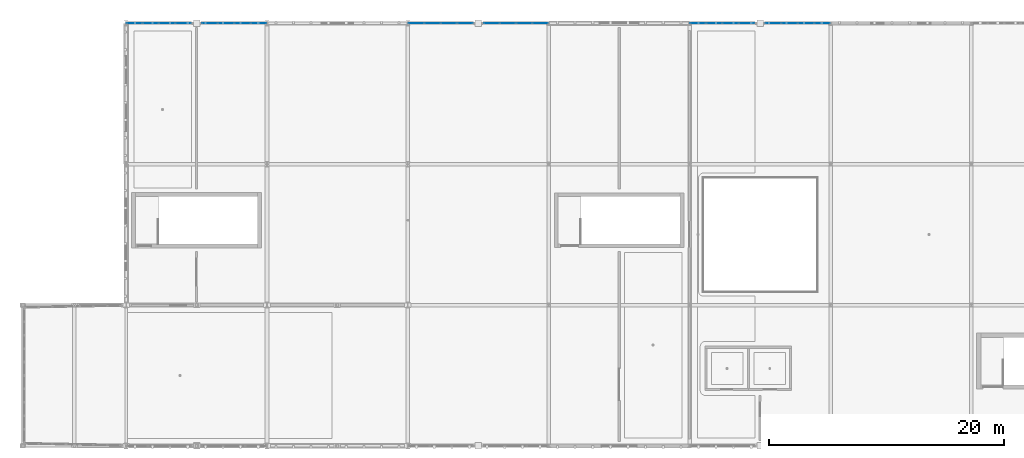
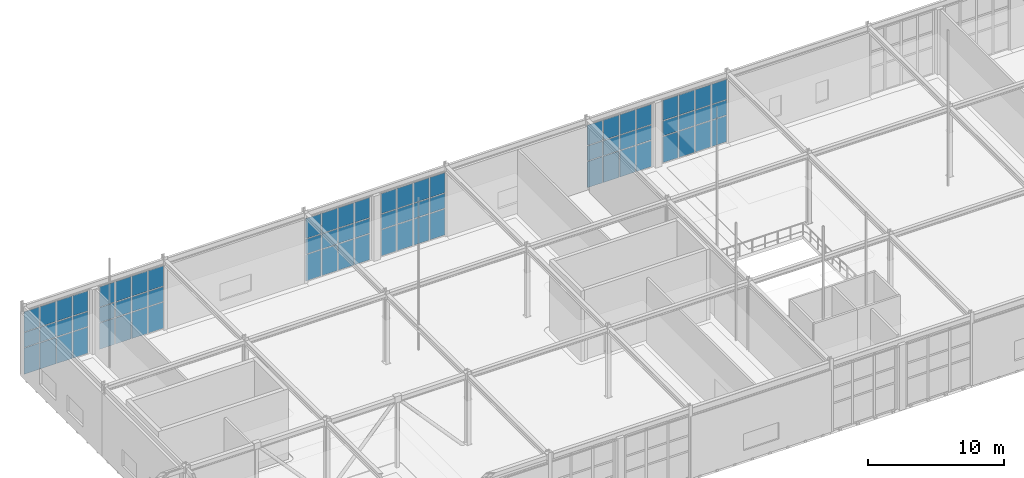
# One storey, part 34 of 62: 72 plates, 6 elements without a shape of their own.
"""IFC4 building model written with IfcOpenShell, lengths in metres."""

from ifc_helpers import new_model, si_unit, direction, frame, origin, origin_2d, place, context, subcontext, project, spatial, rectangle, extrude, material, layer, layer_set, type_object, element, aggregate, save


model = new_model("IFC4")

# Units and contexts
model_context = context("Model", 3, precision=1e-05, world=origin(), true_north=direction((0.0, 1.0)))
body_context = subcontext(model_context, "Body", "Model", "MODEL_VIEW")
ifc_project = project(units=[si_unit("LENGTHUNIT", "METRE"), si_unit("AREAUNIT", "SQUARE_METRE"), si_unit("VOLUMEUNIT", "CUBIC_METRE"), si_unit("PLANEANGLEUNIT", "RADIAN"), si_unit("MASSUNIT", "GRAM", prefix="KILO")], contexts=[model_context])

# Site, building, storey
site_placement = place(None, origin())
site = spatial("IfcSite", under=ifc_project, at=site_placement, CompositionType="ELEMENT")
building_placement = place(site_placement, origin())
building = spatial("IfcBuilding", under=site, at=building_placement, Name="Zlatogorsky Bluff Art Gallery", CompositionType="ELEMENT")
storey_placement = place(building_placement, frame((0.0, 0.0, 16.800048828125)))
storey = spatial("IfcBuildingStorey", under=building, at=storey_placement, Name="L03", CompositionType="ELEMENT", Elevation=16.800048828125)

# Curtain wall, plates
ifc_material_1 = material(Name="Anodised Bronze Aluminium and Low-Iron Triple Glazing", Category="aluminium")
ifc_layer_1 = layer(ifc_material_1, 0.199951171875)
ifc_layer_set_1 = layer_set([ifc_layer_1], Name="Curtain Wall CW-02")
curtain_wall_type = type_object("IfcCurtainWallType", Name="Curtain Wall CW-02", PredefinedType="USERDEFINED", material=ifc_layer_set_1)
curtain_wall_1_placement = place(storey_placement, origin())
curtain_wall_1 = element("IfcCurtainWall", 1, at=curtain_wall_1_placement, inside=storey, type_object=curtain_wall_type, Name="Unitised curtain wall CW-02 L03 N 0.10-A", ObjectType="CURTAIN WALL", PredefinedType="USERDEFINED")
ifc_material_2 = material(Name="Low-Iron Laminated Triple Glazing", Category="glass")
ifc_layer_2 = layer(ifc_material_2, 0.035888671875)
ifc_layer_set_2 = layer_set([ifc_layer_2], Name="Glazed Curtain Panel CWP-01")
plate_type = type_object("IfcPlateType", Name="Glazed Curtain Panel CWP-01", PredefinedType="CURTAIN_PANEL", material=ifc_layer_set_2)
plate_1_placement = place(storey_placement, frame((11.2861328125, 120.0, 0.06494140625), z_axis=(0.0, 0.0, 1.0), x_axis=(-1.0, 0.0, 0.0)))
plate_1 = element("IfcPlate", 2, at=plate_1_placement, type_object=plate_type, Name="CW-02 panel 1.1", PredefinedType="CURTAIN_PANEL", context=body_context, shape_type="SweptSolid", body=[
    extrude(rectangle(XDim=1.297607421875, YDim=0.035888671875, at=origin_2d()), origin(), (0.0, 0.0, 1.0), 2.3525390625),
])
plate_2_placement = place(storey_placement, frame((11.2861328125, 120.0, 2.482421875), z_axis=(0.0, 0.0, 1.0), x_axis=(-1.0, 0.0, 0.0)))
plate_2 = element("IfcPlate", 3, at=plate_2_placement, type_object=plate_type, Name="CW-02 panel 1.2", PredefinedType="CURTAIN_PANEL", context=body_context, shape_type="SweptSolid", body=[
    extrude(rectangle(XDim=1.297607421875, YDim=0.035888671875, at=origin_2d()), origin(), (0.0, 0.0, 1.0), 1.3349609375),
])
plate_3_placement = place(storey_placement, frame((11.2861328125, 120.0, 3.88232421875), z_axis=(0.0, 0.0, 1.0), x_axis=(-1.0, 0.0, 0.0)))
plate_3 = element("IfcPlate", 4, at=plate_3_placement, type_object=plate_type, Name="CW-02 panel 1.3", PredefinedType="CURTAIN_PANEL", context=body_context, shape_type="SweptSolid", body=[
    extrude(rectangle(XDim=1.297607421875, YDim=0.035888671875, at=origin_2d()), origin(), (0.0, 0.0, 1.0), 1.802490234375),
])
plate_4_placement = place(storey_placement, frame((9.907470703125, 120.0, 0.06494140625), z_axis=(0.0, 0.0, 1.0), x_axis=(-1.0, 0.0, 0.0)))
plate_4 = element("IfcPlate", 5, at=plate_4_placement, type_object=plate_type, Name="CW-02 panel 2.1", PredefinedType="CURTAIN_PANEL", context=body_context, shape_type="SweptSolid", body=[
    extrude(rectangle(XDim=1.330078125, YDim=0.035888671875, at=origin_2d()), origin(), (0.0, 0.0, 1.0), 2.3525390625),
])
plate_5_placement = place(storey_placement, frame((9.907470703125, 120.0, 2.482421875), z_axis=(0.0, 0.0, 1.0), x_axis=(-1.0, 0.0, 0.0)))
plate_5 = element("IfcPlate", 6, at=plate_5_placement, type_object=plate_type, Name="CW-02 panel 2.2", PredefinedType="CURTAIN_PANEL", context=body_context, shape_type="SweptSolid", body=[
    extrude(rectangle(XDim=1.330078125, YDim=0.035888671875, at=origin_2d()), origin(), (0.0, 0.0, 1.0), 1.3349609375),
])
plate_6_placement = place(storey_placement, frame((9.907470703125, 120.0, 3.88232421875), z_axis=(0.0, 0.0, 1.0), x_axis=(-1.0, 0.0, 0.0)))
plate_6 = element("IfcPlate", 7, at=plate_6_placement, type_object=plate_type, Name="CW-02 panel 2.3", PredefinedType="CURTAIN_PANEL", context=body_context, shape_type="SweptSolid", body=[
    extrude(rectangle(XDim=1.330078125, YDim=0.035888671875, at=origin_2d()), origin(), (0.0, 0.0, 1.0), 1.802490234375),
])
plate_7_placement = place(storey_placement, frame((8.512451171875, 120.0, 0.06494140625), z_axis=(0.0, 0.0, 1.0), x_axis=(-1.0, 0.0, 0.0)))
plate_7 = element("IfcPlate", 8, at=plate_7_placement, type_object=plate_type, Name="CW-02 panel 3.1", PredefinedType="CURTAIN_PANEL", context=body_context, shape_type="SweptSolid", body=[
    extrude(rectangle(XDim=1.330078125, YDim=0.035888671875, at=origin_2d()), origin(), (0.0, 0.0, 1.0), 2.3525390625),
])
plate_8_placement = place(storey_placement, frame((8.512451171875, 120.0, 2.482421875), z_axis=(0.0, 0.0, 1.0), x_axis=(-1.0, 0.0, 0.0)))
plate_8 = element("IfcPlate", 9, at=plate_8_placement, type_object=plate_type, Name="CW-02 panel 3.2", PredefinedType="CURTAIN_PANEL", context=body_context, shape_type="SweptSolid", body=[
    extrude(rectangle(XDim=1.330078125, YDim=0.035888671875, at=origin_2d()), origin(), (0.0, 0.0, 1.0), 1.3349609375),
])
plate_9_placement = place(storey_placement, frame((8.512451171875, 120.0, 3.88232421875), z_axis=(0.0, 0.0, 1.0), x_axis=(-1.0, 0.0, 0.0)))
plate_9 = element("IfcPlate", 10, at=plate_9_placement, type_object=plate_type, Name="CW-02 panel 3.3", PredefinedType="CURTAIN_PANEL", context=body_context, shape_type="SweptSolid", body=[
    extrude(rectangle(XDim=1.330078125, YDim=0.035888671875, at=origin_2d()), origin(), (0.0, 0.0, 1.0), 1.802490234375),
])
plate_10_placement = place(storey_placement, frame((7.1337890625, 120.0, 0.06494140625), z_axis=(0.0, 0.0, 1.0), x_axis=(-1.0, 0.0, 0.0)))
plate_10 = element("IfcPlate", 11, at=plate_10_placement, type_object=plate_type, Name="CW-02 panel 4.1", PredefinedType="CURTAIN_PANEL", context=body_context, shape_type="SweptSolid", body=[
    extrude(rectangle(XDim=1.297607421875, YDim=0.035888671875, at=origin_2d()), origin(), (0.0, 0.0, 1.0), 2.3525390625),
])
plate_11_placement = place(storey_placement, frame((7.1337890625, 120.0, 2.482421875), z_axis=(0.0, 0.0, 1.0), x_axis=(-1.0, 0.0, 0.0)))
plate_11 = element("IfcPlate", 12, at=plate_11_placement, type_object=plate_type, Name="CW-02 panel 4.2", PredefinedType="CURTAIN_PANEL", context=body_context, shape_type="SweptSolid", body=[
    extrude(rectangle(XDim=1.297607421875, YDim=0.035888671875, at=origin_2d()), origin(), (0.0, 0.0, 1.0), 1.3349609375),
])
plate_12_placement = place(storey_placement, frame((7.1337890625, 120.0, 3.88232421875), z_axis=(0.0, 0.0, 1.0), x_axis=(-1.0, 0.0, 0.0)))
plate_12 = element("IfcPlate", 13, at=plate_12_placement, type_object=plate_type, Name="CW-02 panel 4.3", PredefinedType="CURTAIN_PANEL", context=body_context, shape_type="SweptSolid", body=[
    extrude(rectangle(XDim=1.297607421875, YDim=0.035888671875, at=origin_2d()), origin(), (0.0, 0.0, 1.0), 1.802490234375),
])
aggregate(curtain_wall_1, [plate_1, plate_2, plate_3, plate_4, plate_5, plate_6, plate_7, plate_8, plate_9, plate_10, plate_11, plate_12])

curtain_wall_2_placement = place(storey_placement, origin())
curtain_wall_2 = element("IfcCurtainWall", 14, at=curtain_wall_2_placement, inside=storey, type_object=curtain_wall_type, Name="Unitised curtain wall CW-02 L03 N 0.10-B", ObjectType="CURTAIN WALL", PredefinedType="USERDEFINED")
plate_13_placement = place(storey_placement, frame((4.8662109375, 120.0, 0.06494140625), z_axis=(0.0, 0.0, 1.0), x_axis=(-1.0, 0.0, 0.0)))
plate_13 = element("IfcPlate", 15, at=plate_13_placement, type_object=plate_type, Name="CW-02 panel 1.1", PredefinedType="CURTAIN_PANEL", context=body_context, shape_type="SweptSolid", body=[
    extrude(rectangle(XDim=1.297607421875, YDim=0.035888671875, at=origin_2d()), origin(), (0.0, 0.0, 1.0), 2.3525390625),
])
plate_14_placement = place(storey_placement, frame((4.8662109375, 120.0, 2.482421875), z_axis=(0.0, 0.0, 1.0), x_axis=(-1.0, 0.0, 0.0)))
plate_14 = element("IfcPlate", 16, at=plate_14_placement, type_object=plate_type, Name="CW-02 panel 1.2", PredefinedType="CURTAIN_PANEL", context=body_context, shape_type="SweptSolid", body=[
    extrude(rectangle(XDim=1.297607421875, YDim=0.035888671875, at=origin_2d()), origin(), (0.0, 0.0, 1.0), 1.3349609375),
])
plate_15_placement = place(storey_placement, frame((4.8662109375, 120.0, 3.88232421875), z_axis=(0.0, 0.0, 1.0), x_axis=(-1.0, 0.0, 0.0)))
plate_15 = element("IfcPlate", 17, at=plate_15_placement, type_object=plate_type, Name="CW-02 panel 1.3", PredefinedType="CURTAIN_PANEL", context=body_context, shape_type="SweptSolid", body=[
    extrude(rectangle(XDim=1.297607421875, YDim=0.035888671875, at=origin_2d()), origin(), (0.0, 0.0, 1.0), 1.802490234375),
])
plate_16_placement = place(storey_placement, frame((3.487548828125, 120.0, 0.06494140625), z_axis=(0.0, 0.0, 1.0), x_axis=(-1.0, 0.0, 0.0)))
plate_16 = element("IfcPlate", 18, at=plate_16_placement, type_object=plate_type, Name="CW-02 panel 2.1", PredefinedType="CURTAIN_PANEL", context=body_context, shape_type="SweptSolid", body=[
    extrude(rectangle(XDim=1.330078125, YDim=0.035888671875, at=origin_2d()), origin(), (0.0, 0.0, 1.0), 2.3525390625),
])
plate_17_placement = place(storey_placement, frame((3.487548828125, 120.0, 2.482421875), z_axis=(0.0, 0.0, 1.0), x_axis=(-1.0, 0.0, 0.0)))
plate_17 = element("IfcPlate", 19, at=plate_17_placement, type_object=plate_type, Name="CW-02 panel 2.2", PredefinedType="CURTAIN_PANEL", context=body_context, shape_type="SweptSolid", body=[
    extrude(rectangle(XDim=1.330078125, YDim=0.035888671875, at=origin_2d()), origin(), (0.0, 0.0, 1.0), 1.3349609375),
])
plate_18_placement = place(storey_placement, frame((3.487548828125, 120.0, 3.88232421875), z_axis=(0.0, 0.0, 1.0), x_axis=(-1.0, 0.0, 0.0)))
plate_18 = element("IfcPlate", 20, at=plate_18_placement, type_object=plate_type, Name="CW-02 panel 2.3", PredefinedType="CURTAIN_PANEL", context=body_context, shape_type="SweptSolid", body=[
    extrude(rectangle(XDim=1.330078125, YDim=0.035888671875, at=origin_2d()), origin(), (0.0, 0.0, 1.0), 1.802490234375),
])
plate_19_placement = place(storey_placement, frame((2.092529296875, 120.0, 0.06494140625), z_axis=(0.0, 0.0, 1.0), x_axis=(-1.0, 0.0, 0.0)))
plate_19 = element("IfcPlate", 21, at=plate_19_placement, type_object=plate_type, Name="CW-02 panel 3.1", PredefinedType="CURTAIN_PANEL", context=body_context, shape_type="SweptSolid", body=[
    extrude(rectangle(XDim=1.330078125, YDim=0.035888671875, at=origin_2d()), origin(), (0.0, 0.0, 1.0), 2.3525390625),
])
plate_20_placement = place(storey_placement, frame((2.092529296875, 120.0, 2.482421875), z_axis=(0.0, 0.0, 1.0), x_axis=(-1.0, 0.0, 0.0)))
plate_20 = element("IfcPlate", 22, at=plate_20_placement, type_object=plate_type, Name="CW-02 panel 3.2", PredefinedType="CURTAIN_PANEL", context=body_context, shape_type="SweptSolid", body=[
    extrude(rectangle(XDim=1.330078125, YDim=0.035888671875, at=origin_2d()), origin(), (0.0, 0.0, 1.0), 1.3349609375),
])
plate_21_placement = place(storey_placement, frame((2.092529296875, 120.0, 3.88232421875), z_axis=(0.0, 0.0, 1.0), x_axis=(-1.0, 0.0, 0.0)))
plate_21 = element("IfcPlate", 23, at=plate_21_placement, type_object=plate_type, Name="CW-02 panel 3.3", PredefinedType="CURTAIN_PANEL", context=body_context, shape_type="SweptSolid", body=[
    extrude(rectangle(XDim=1.330078125, YDim=0.035888671875, at=origin_2d()), origin(), (0.0, 0.0, 1.0), 1.802490234375),
])
plate_22_placement = place(storey_placement, frame((0.7138671875, 120.0, 0.06494140625), z_axis=(0.0, 0.0, 1.0), x_axis=(-1.0, 0.0, 0.0)))
plate_22 = element("IfcPlate", 24, at=plate_22_placement, type_object=plate_type, Name="CW-02 panel 4.1", PredefinedType="CURTAIN_PANEL", context=body_context, shape_type="SweptSolid", body=[
    extrude(rectangle(XDim=1.297607421875, YDim=0.035888671875, at=origin_2d()), origin(), (0.0, 0.0, 1.0), 2.3525390625),
])
plate_23_placement = place(storey_placement, frame((0.7138671875, 120.0, 2.482421875), z_axis=(0.0, 0.0, 1.0), x_axis=(-1.0, 0.0, 0.0)))
plate_23 = element("IfcPlate", 25, at=plate_23_placement, type_object=plate_type, Name="CW-02 panel 4.2", PredefinedType="CURTAIN_PANEL", context=body_context, shape_type="SweptSolid", body=[
    extrude(rectangle(XDim=1.297607421875, YDim=0.035888671875, at=origin_2d()), origin(), (0.0, 0.0, 1.0), 1.3349609375),
])
plate_24_placement = place(storey_placement, frame((0.7138671875, 120.0, 3.88232421875), z_axis=(0.0, 0.0, 1.0), x_axis=(-1.0, 0.0, 0.0)))
plate_24 = element("IfcPlate", 26, at=plate_24_placement, type_object=plate_type, Name="CW-02 panel 4.3", PredefinedType="CURTAIN_PANEL", context=body_context, shape_type="SweptSolid", body=[
    extrude(rectangle(XDim=1.297607421875, YDim=0.035888671875, at=origin_2d()), origin(), (0.0, 0.0, 1.0), 1.802490234375),
])
aggregate(curtain_wall_2, [plate_13, plate_14, plate_15, plate_16, plate_17, plate_18, plate_19, plate_20, plate_21, plate_22, plate_23, plate_24])

curtain_wall_3_placement = place(storey_placement, origin())
curtain_wall_3 = element("IfcCurtainWall", 27, at=curtain_wall_3_placement, inside=storey, type_object=curtain_wall_type, Name="Unitised curtain wall CW-02 L03 N 2.10-A", ObjectType="CURTAIN WALL", PredefinedType="USERDEFINED")
plate_25_placement = place(storey_placement, frame((35.2861328125, 120.0, 0.06494140625), z_axis=(0.0, 0.0, 1.0), x_axis=(-1.0, 0.0, 0.0)))
plate_25 = element("IfcPlate", 28, at=plate_25_placement, type_object=plate_type, Name="CW-02 panel 1.1", PredefinedType="CURTAIN_PANEL", context=body_context, shape_type="SweptSolid", body=[
    extrude(rectangle(XDim=1.297607421875, YDim=0.035888671875, at=origin_2d()), origin(), (0.0, 0.0, 1.0), 2.3525390625),
])
plate_26_placement = place(storey_placement, frame((35.2861328125, 120.0, 2.482421875), z_axis=(0.0, 0.0, 1.0), x_axis=(-1.0, 0.0, 0.0)))
plate_26 = element("IfcPlate", 29, at=plate_26_placement, type_object=plate_type, Name="CW-02 panel 1.2", PredefinedType="CURTAIN_PANEL", context=body_context, shape_type="SweptSolid", body=[
    extrude(rectangle(XDim=1.297607421875, YDim=0.035888671875, at=origin_2d()), origin(), (0.0, 0.0, 1.0), 1.3349609375),
])
plate_27_placement = place(storey_placement, frame((35.2861328125, 120.0, 3.88232421875), z_axis=(0.0, 0.0, 1.0), x_axis=(-1.0, 0.0, 0.0)))
plate_27 = element("IfcPlate", 30, at=plate_27_placement, type_object=plate_type, Name="CW-02 panel 1.3", PredefinedType="CURTAIN_PANEL", context=body_context, shape_type="SweptSolid", body=[
    extrude(rectangle(XDim=1.297607421875, YDim=0.035888671875, at=origin_2d()), origin(), (0.0, 0.0, 1.0), 1.802490234375),
])
plate_28_placement = place(storey_placement, frame((33.907470703125, 120.0, 0.06494140625), z_axis=(0.0, 0.0, 1.0), x_axis=(-1.0, 0.0, 0.0)))
plate_28 = element("IfcPlate", 31, at=plate_28_placement, type_object=plate_type, Name="CW-02 panel 2.1", PredefinedType="CURTAIN_PANEL", context=body_context, shape_type="SweptSolid", body=[
    extrude(rectangle(XDim=1.330078125, YDim=0.035888671875, at=origin_2d()), origin(), (0.0, 0.0, 1.0), 2.3525390625),
])
plate_29_placement = place(storey_placement, frame((33.907470703125, 120.0, 2.482421875), z_axis=(0.0, 0.0, 1.0), x_axis=(-1.0, 0.0, 0.0)))
plate_29 = element("IfcPlate", 32, at=plate_29_placement, type_object=plate_type, Name="CW-02 panel 2.2", PredefinedType="CURTAIN_PANEL", context=body_context, shape_type="SweptSolid", body=[
    extrude(rectangle(XDim=1.330078125, YDim=0.035888671875, at=origin_2d()), origin(), (0.0, 0.0, 1.0), 1.3349609375),
])
plate_30_placement = place(storey_placement, frame((33.907470703125, 120.0, 3.88232421875), z_axis=(0.0, 0.0, 1.0), x_axis=(-1.0, 0.0, 0.0)))
plate_30 = element("IfcPlate", 33, at=plate_30_placement, type_object=plate_type, Name="CW-02 panel 2.3", PredefinedType="CURTAIN_PANEL", context=body_context, shape_type="SweptSolid", body=[
    extrude(rectangle(XDim=1.330078125, YDim=0.035888671875, at=origin_2d()), origin(), (0.0, 0.0, 1.0), 1.802490234375),
])
plate_31_placement = place(storey_placement, frame((32.512451171875, 120.0, 0.06494140625), z_axis=(0.0, 0.0, 1.0), x_axis=(-1.0, 0.0, 0.0)))
plate_31 = element("IfcPlate", 34, at=plate_31_placement, type_object=plate_type, Name="CW-02 panel 3.1", PredefinedType="CURTAIN_PANEL", context=body_context, shape_type="SweptSolid", body=[
    extrude(rectangle(XDim=1.330078125, YDim=0.035888671875, at=origin_2d()), origin(), (0.0, 0.0, 1.0), 2.3525390625),
])
plate_32_placement = place(storey_placement, frame((32.512451171875, 120.0, 2.482421875), z_axis=(0.0, 0.0, 1.0), x_axis=(-1.0, 0.0, 0.0)))
plate_32 = element("IfcPlate", 35, at=plate_32_placement, type_object=plate_type, Name="CW-02 panel 3.2", PredefinedType="CURTAIN_PANEL", context=body_context, shape_type="SweptSolid", body=[
    extrude(rectangle(XDim=1.330078125, YDim=0.035888671875, at=origin_2d()), origin(), (0.0, 0.0, 1.0), 1.3349609375),
])
plate_33_placement = place(storey_placement, frame((32.512451171875, 120.0, 3.88232421875), z_axis=(0.0, 0.0, 1.0), x_axis=(-1.0, 0.0, 0.0)))
plate_33 = element("IfcPlate", 36, at=plate_33_placement, type_object=plate_type, Name="CW-02 panel 3.3", PredefinedType="CURTAIN_PANEL", context=body_context, shape_type="SweptSolid", body=[
    extrude(rectangle(XDim=1.330078125, YDim=0.035888671875, at=origin_2d()), origin(), (0.0, 0.0, 1.0), 1.802490234375),
])
plate_34_placement = place(storey_placement, frame((31.1337890625, 120.0, 0.06494140625), z_axis=(0.0, 0.0, 1.0), x_axis=(-1.0, 0.0, 0.0)))
plate_34 = element("IfcPlate", 37, at=plate_34_placement, type_object=plate_type, Name="CW-02 panel 4.1", PredefinedType="CURTAIN_PANEL", context=body_context, shape_type="SweptSolid", body=[
    extrude(rectangle(XDim=1.297607421875, YDim=0.035888671875, at=origin_2d()), origin(), (0.0, 0.0, 1.0), 2.3525390625),
])
plate_35_placement = place(storey_placement, frame((31.1337890625, 120.0, 2.482421875), z_axis=(0.0, 0.0, 1.0), x_axis=(-1.0, 0.0, 0.0)))
plate_35 = element("IfcPlate", 38, at=plate_35_placement, type_object=plate_type, Name="CW-02 panel 4.2", PredefinedType="CURTAIN_PANEL", context=body_context, shape_type="SweptSolid", body=[
    extrude(rectangle(XDim=1.297607421875, YDim=0.035888671875, at=origin_2d()), origin(), (0.0, 0.0, 1.0), 1.3349609375),
])
plate_36_placement = place(storey_placement, frame((31.1337890625, 120.0, 3.88232421875), z_axis=(0.0, 0.0, 1.0), x_axis=(-1.0, 0.0, 0.0)))
plate_36 = element("IfcPlate", 39, at=plate_36_placement, type_object=plate_type, Name="CW-02 panel 4.3", PredefinedType="CURTAIN_PANEL", context=body_context, shape_type="SweptSolid", body=[
    extrude(rectangle(XDim=1.297607421875, YDim=0.035888671875, at=origin_2d()), origin(), (0.0, 0.0, 1.0), 1.802490234375),
])
aggregate(curtain_wall_3, [plate_25, plate_26, plate_27, plate_28, plate_29, plate_30, plate_31, plate_32, plate_33, plate_34, plate_35, plate_36])

curtain_wall_4_placement = place(storey_placement, origin())
curtain_wall_4 = element("IfcCurtainWall", 40, at=curtain_wall_4_placement, inside=storey, type_object=curtain_wall_type, Name="Unitised curtain wall CW-02 L03 N 2.10-B", ObjectType="CURTAIN WALL", PredefinedType="USERDEFINED")
plate_37_placement = place(storey_placement, frame((28.8662109375, 120.0, 0.06494140625), z_axis=(0.0, 0.0, 1.0), x_axis=(-1.0, 0.0, 0.0)))
plate_37 = element("IfcPlate", 41, at=plate_37_placement, type_object=plate_type, Name="CW-02 panel 1.1", PredefinedType="CURTAIN_PANEL", context=body_context, shape_type="SweptSolid", body=[
    extrude(rectangle(XDim=1.297607421875, YDim=0.035888671875, at=origin_2d()), origin(), (0.0, 0.0, 1.0), 2.3525390625),
])
plate_38_placement = place(storey_placement, frame((28.8662109375, 120.0, 2.482421875), z_axis=(0.0, 0.0, 1.0), x_axis=(-1.0, 0.0, 0.0)))
plate_38 = element("IfcPlate", 42, at=plate_38_placement, type_object=plate_type, Name="CW-02 panel 1.2", PredefinedType="CURTAIN_PANEL", context=body_context, shape_type="SweptSolid", body=[
    extrude(rectangle(XDim=1.297607421875, YDim=0.035888671875, at=origin_2d()), origin(), (0.0, 0.0, 1.0), 1.3349609375),
])
plate_39_placement = place(storey_placement, frame((28.8662109375, 120.0, 3.88232421875), z_axis=(0.0, 0.0, 1.0), x_axis=(-1.0, 0.0, 0.0)))
plate_39 = element("IfcPlate", 43, at=plate_39_placement, type_object=plate_type, Name="CW-02 panel 1.3", PredefinedType="CURTAIN_PANEL", context=body_context, shape_type="SweptSolid", body=[
    extrude(rectangle(XDim=1.297607421875, YDim=0.035888671875, at=origin_2d()), origin(), (0.0, 0.0, 1.0), 1.802490234375),
])
plate_40_placement = place(storey_placement, frame((27.487548828125, 120.0, 0.06494140625), z_axis=(0.0, 0.0, 1.0), x_axis=(-1.0, 0.0, 0.0)))
plate_40 = element("IfcPlate", 44, at=plate_40_placement, type_object=plate_type, Name="CW-02 panel 2.1", PredefinedType="CURTAIN_PANEL", context=body_context, shape_type="SweptSolid", body=[
    extrude(rectangle(XDim=1.330078125, YDim=0.035888671875, at=origin_2d()), origin(), (0.0, 0.0, 1.0), 2.3525390625),
])
plate_41_placement = place(storey_placement, frame((27.487548828125, 120.0, 2.482421875), z_axis=(0.0, 0.0, 1.0), x_axis=(-1.0, 0.0, 0.0)))
plate_41 = element("IfcPlate", 45, at=plate_41_placement, type_object=plate_type, Name="CW-02 panel 2.2", PredefinedType="CURTAIN_PANEL", context=body_context, shape_type="SweptSolid", body=[
    extrude(rectangle(XDim=1.330078125, YDim=0.035888671875, at=origin_2d()), origin(), (0.0, 0.0, 1.0), 1.3349609375),
])
plate_42_placement = place(storey_placement, frame((27.487548828125, 120.0, 3.88232421875), z_axis=(0.0, 0.0, 1.0), x_axis=(-1.0, 0.0, 0.0)))
plate_42 = element("IfcPlate", 46, at=plate_42_placement, type_object=plate_type, Name="CW-02 panel 2.3", PredefinedType="CURTAIN_PANEL", context=body_context, shape_type="SweptSolid", body=[
    extrude(rectangle(XDim=1.330078125, YDim=0.035888671875, at=origin_2d()), origin(), (0.0, 0.0, 1.0), 1.802490234375),
])
plate_43_placement = place(storey_placement, frame((26.092529296875, 120.0, 0.06494140625), z_axis=(0.0, 0.0, 1.0), x_axis=(-1.0, 0.0, 0.0)))
plate_43 = element("IfcPlate", 47, at=plate_43_placement, type_object=plate_type, Name="CW-02 panel 3.1", PredefinedType="CURTAIN_PANEL", context=body_context, shape_type="SweptSolid", body=[
    extrude(rectangle(XDim=1.330078125, YDim=0.035888671875, at=origin_2d()), origin(), (0.0, 0.0, 1.0), 2.3525390625),
])
plate_44_placement = place(storey_placement, frame((26.092529296875, 120.0, 2.482421875), z_axis=(0.0, 0.0, 1.0), x_axis=(-1.0, 0.0, 0.0)))
plate_44 = element("IfcPlate", 48, at=plate_44_placement, type_object=plate_type, Name="CW-02 panel 3.2", PredefinedType="CURTAIN_PANEL", context=body_context, shape_type="SweptSolid", body=[
    extrude(rectangle(XDim=1.330078125, YDim=0.035888671875, at=origin_2d()), origin(), (0.0, 0.0, 1.0), 1.3349609375),
])
plate_45_placement = place(storey_placement, frame((26.092529296875, 120.0, 3.88232421875), z_axis=(0.0, 0.0, 1.0), x_axis=(-1.0, 0.0, 0.0)))
plate_45 = element("IfcPlate", 49, at=plate_45_placement, type_object=plate_type, Name="CW-02 panel 3.3", PredefinedType="CURTAIN_PANEL", context=body_context, shape_type="SweptSolid", body=[
    extrude(rectangle(XDim=1.330078125, YDim=0.035888671875, at=origin_2d()), origin(), (0.0, 0.0, 1.0), 1.802490234375),
])
plate_46_placement = place(storey_placement, frame((24.7138671875, 120.0, 0.06494140625), z_axis=(0.0, 0.0, 1.0), x_axis=(-1.0, 0.0, 0.0)))
plate_46 = element("IfcPlate", 50, at=plate_46_placement, type_object=plate_type, Name="CW-02 panel 4.1", PredefinedType="CURTAIN_PANEL", context=body_context, shape_type="SweptSolid", body=[
    extrude(rectangle(XDim=1.297607421875, YDim=0.035888671875, at=origin_2d()), origin(), (0.0, 0.0, 1.0), 2.3525390625),
])
plate_47_placement = place(storey_placement, frame((24.7138671875, 120.0, 2.482421875), z_axis=(0.0, 0.0, 1.0), x_axis=(-1.0, 0.0, 0.0)))
plate_47 = element("IfcPlate", 51, at=plate_47_placement, type_object=plate_type, Name="CW-02 panel 4.2", PredefinedType="CURTAIN_PANEL", context=body_context, shape_type="SweptSolid", body=[
    extrude(rectangle(XDim=1.297607421875, YDim=0.035888671875, at=origin_2d()), origin(), (0.0, 0.0, 1.0), 1.3349609375),
])
plate_48_placement = place(storey_placement, frame((24.7138671875, 120.0, 3.88232421875), z_axis=(0.0, 0.0, 1.0), x_axis=(-1.0, 0.0, 0.0)))
plate_48 = element("IfcPlate", 52, at=plate_48_placement, type_object=plate_type, Name="CW-02 panel 4.3", PredefinedType="CURTAIN_PANEL", context=body_context, shape_type="SweptSolid", body=[
    extrude(rectangle(XDim=1.297607421875, YDim=0.035888671875, at=origin_2d()), origin(), (0.0, 0.0, 1.0), 1.802490234375),
])
aggregate(curtain_wall_4, [plate_37, plate_38, plate_39, plate_40, plate_41, plate_42, plate_43, plate_44, plate_45, plate_46, plate_47, plate_48])

curtain_wall_5_placement = place(storey_placement, origin())
curtain_wall_5 = element("IfcCurtainWall", 53, at=curtain_wall_5_placement, inside=storey, type_object=curtain_wall_type, Name="Unitised curtain wall CW-02 L03 N 4.10-A", ObjectType="CURTAIN WALL", PredefinedType="USERDEFINED")
plate_49_placement = place(storey_placement, frame((59.2861328125, 120.0, 0.06494140625), z_axis=(0.0, 0.0, 1.0), x_axis=(-1.0, 0.0, 0.0)))
plate_49 = element("IfcPlate", 54, at=plate_49_placement, type_object=plate_type, Name="CW-02 panel 1.1", PredefinedType="CURTAIN_PANEL", context=body_context, shape_type="SweptSolid", body=[
    extrude(rectangle(XDim=1.297607421875, YDim=0.035888671875, at=origin_2d()), origin(), (0.0, 0.0, 1.0), 2.3525390625),
])
plate_50_placement = place(storey_placement, frame((59.2861328125, 120.0, 2.482421875), z_axis=(0.0, 0.0, 1.0), x_axis=(-1.0, 0.0, 0.0)))
plate_50 = element("IfcPlate", 55, at=plate_50_placement, type_object=plate_type, Name="CW-02 panel 1.2", PredefinedType="CURTAIN_PANEL", context=body_context, shape_type="SweptSolid", body=[
    extrude(rectangle(XDim=1.297607421875, YDim=0.035888671875, at=origin_2d()), origin(), (0.0, 0.0, 1.0), 1.3349609375),
])
plate_51_placement = place(storey_placement, frame((59.2861328125, 120.0, 3.88232421875), z_axis=(0.0, 0.0, 1.0), x_axis=(-1.0, 0.0, 0.0)))
plate_51 = element("IfcPlate", 56, at=plate_51_placement, type_object=plate_type, Name="CW-02 panel 1.3", PredefinedType="CURTAIN_PANEL", context=body_context, shape_type="SweptSolid", body=[
    extrude(rectangle(XDim=1.297607421875, YDim=0.035888671875, at=origin_2d()), origin(), (0.0, 0.0, 1.0), 1.802490234375),
])
plate_52_placement = place(storey_placement, frame((57.907470703125, 120.0, 0.06494140625), z_axis=(0.0, 0.0, 1.0), x_axis=(-1.0, 0.0, 0.0)))
plate_52 = element("IfcPlate", 57, at=plate_52_placement, type_object=plate_type, Name="CW-02 panel 2.1", PredefinedType="CURTAIN_PANEL", context=body_context, shape_type="SweptSolid", body=[
    extrude(rectangle(XDim=1.330078125, YDim=0.035888671875, at=origin_2d()), origin(), (0.0, 0.0, 1.0), 2.3525390625),
])
plate_53_placement = place(storey_placement, frame((57.907470703125, 120.0, 2.482421875), z_axis=(0.0, 0.0, 1.0), x_axis=(-1.0, 0.0, 0.0)))
plate_53 = element("IfcPlate", 58, at=plate_53_placement, type_object=plate_type, Name="CW-02 panel 2.2", PredefinedType="CURTAIN_PANEL", context=body_context, shape_type="SweptSolid", body=[
    extrude(rectangle(XDim=1.330078125, YDim=0.035888671875, at=origin_2d()), origin(), (0.0, 0.0, 1.0), 1.3349609375),
])
plate_54_placement = place(storey_placement, frame((57.907470703125, 120.0, 3.88232421875), z_axis=(0.0, 0.0, 1.0), x_axis=(-1.0, 0.0, 0.0)))
plate_54 = element("IfcPlate", 59, at=plate_54_placement, type_object=plate_type, Name="CW-02 panel 2.3", PredefinedType="CURTAIN_PANEL", context=body_context, shape_type="SweptSolid", body=[
    extrude(rectangle(XDim=1.330078125, YDim=0.035888671875, at=origin_2d()), origin(), (0.0, 0.0, 1.0), 1.802490234375),
])
plate_55_placement = place(storey_placement, frame((56.512451171875, 120.0, 0.06494140625), z_axis=(0.0, 0.0, 1.0), x_axis=(-1.0, 0.0, 0.0)))
plate_55 = element("IfcPlate", 60, at=plate_55_placement, type_object=plate_type, Name="CW-02 panel 3.1", PredefinedType="CURTAIN_PANEL", context=body_context, shape_type="SweptSolid", body=[
    extrude(rectangle(XDim=1.330078125, YDim=0.035888671875, at=origin_2d()), origin(), (0.0, 0.0, 1.0), 2.3525390625),
])
plate_56_placement = place(storey_placement, frame((56.512451171875, 120.0, 2.482421875), z_axis=(0.0, 0.0, 1.0), x_axis=(-1.0, 0.0, 0.0)))
plate_56 = element("IfcPlate", 61, at=plate_56_placement, type_object=plate_type, Name="CW-02 panel 3.2", PredefinedType="CURTAIN_PANEL", context=body_context, shape_type="SweptSolid", body=[
    extrude(rectangle(XDim=1.330078125, YDim=0.035888671875, at=origin_2d()), origin(), (0.0, 0.0, 1.0), 1.3349609375),
])
plate_57_placement = place(storey_placement, frame((56.512451171875, 120.0, 3.88232421875), z_axis=(0.0, 0.0, 1.0), x_axis=(-1.0, 0.0, 0.0)))
plate_57 = element("IfcPlate", 62, at=plate_57_placement, type_object=plate_type, Name="CW-02 panel 3.3", PredefinedType="CURTAIN_PANEL", context=body_context, shape_type="SweptSolid", body=[
    extrude(rectangle(XDim=1.330078125, YDim=0.035888671875, at=origin_2d()), origin(), (0.0, 0.0, 1.0), 1.802490234375),
])
plate_58_placement = place(storey_placement, frame((55.1337890625, 120.0, 0.06494140625), z_axis=(0.0, 0.0, 1.0), x_axis=(-1.0, 0.0, 0.0)))
plate_58 = element("IfcPlate", 63, at=plate_58_placement, type_object=plate_type, Name="CW-02 panel 4.1", PredefinedType="CURTAIN_PANEL", context=body_context, shape_type="SweptSolid", body=[
    extrude(rectangle(XDim=1.297607421875, YDim=0.035888671875, at=origin_2d()), origin(), (0.0, 0.0, 1.0), 2.3525390625),
])
plate_59_placement = place(storey_placement, frame((55.1337890625, 120.0, 2.482421875), z_axis=(0.0, 0.0, 1.0), x_axis=(-1.0, 0.0, 0.0)))
plate_59 = element("IfcPlate", 64, at=plate_59_placement, type_object=plate_type, Name="CW-02 panel 4.2", PredefinedType="CURTAIN_PANEL", context=body_context, shape_type="SweptSolid", body=[
    extrude(rectangle(XDim=1.297607421875, YDim=0.035888671875, at=origin_2d()), origin(), (0.0, 0.0, 1.0), 1.3349609375),
])
plate_60_placement = place(storey_placement, frame((55.1337890625, 120.0, 3.88232421875), z_axis=(0.0, 0.0, 1.0), x_axis=(-1.0, 0.0, 0.0)))
plate_60 = element("IfcPlate", 65, at=plate_60_placement, type_object=plate_type, Name="CW-02 panel 4.3", PredefinedType="CURTAIN_PANEL", context=body_context, shape_type="SweptSolid", body=[
    extrude(rectangle(XDim=1.297607421875, YDim=0.035888671875, at=origin_2d()), origin(), (0.0, 0.0, 1.0), 1.802490234375),
])
aggregate(curtain_wall_5, [plate_49, plate_50, plate_51, plate_52, plate_53, plate_54, plate_55, plate_56, plate_57, plate_58, plate_59, plate_60])

curtain_wall_6_placement = place(storey_placement, origin())
curtain_wall_6 = element("IfcCurtainWall", 66, at=curtain_wall_6_placement, inside=storey, type_object=curtain_wall_type, Name="Unitised curtain wall CW-02 L03 N 4.10-B", ObjectType="CURTAIN WALL", PredefinedType="USERDEFINED")
plate_61_placement = place(storey_placement, frame((52.8662109375, 120.0, 0.06494140625), z_axis=(0.0, 0.0, 1.0), x_axis=(-1.0, 0.0, 0.0)))
plate_61 = element("IfcPlate", 67, at=plate_61_placement, type_object=plate_type, Name="CW-02 panel 1.1", PredefinedType="CURTAIN_PANEL", context=body_context, shape_type="SweptSolid", body=[
    extrude(rectangle(XDim=1.297607421875, YDim=0.035888671875, at=origin_2d()), origin(), (0.0, 0.0, 1.0), 2.3525390625),
])
plate_62_placement = place(storey_placement, frame((52.8662109375, 120.0, 2.482421875), z_axis=(0.0, 0.0, 1.0), x_axis=(-1.0, 0.0, 0.0)))
plate_62 = element("IfcPlate", 68, at=plate_62_placement, type_object=plate_type, Name="CW-02 panel 1.2", PredefinedType="CURTAIN_PANEL", context=body_context, shape_type="SweptSolid", body=[
    extrude(rectangle(XDim=1.297607421875, YDim=0.035888671875, at=origin_2d()), origin(), (0.0, 0.0, 1.0), 1.3349609375),
])
plate_63_placement = place(storey_placement, frame((52.8662109375, 120.0, 3.88232421875), z_axis=(0.0, 0.0, 1.0), x_axis=(-1.0, 0.0, 0.0)))
plate_63 = element("IfcPlate", 69, at=plate_63_placement, type_object=plate_type, Name="CW-02 panel 1.3", PredefinedType="CURTAIN_PANEL", context=body_context, shape_type="SweptSolid", body=[
    extrude(rectangle(XDim=1.297607421875, YDim=0.035888671875, at=origin_2d()), origin(), (0.0, 0.0, 1.0), 1.802490234375),
])
plate_64_placement = place(storey_placement, frame((51.487548828125, 120.0, 0.06494140625), z_axis=(0.0, 0.0, 1.0), x_axis=(-1.0, 0.0, 0.0)))
plate_64 = element("IfcPlate", 70, at=plate_64_placement, type_object=plate_type, Name="CW-02 panel 2.1", PredefinedType="CURTAIN_PANEL", context=body_context, shape_type="SweptSolid", body=[
    extrude(rectangle(XDim=1.330078125, YDim=0.035888671875, at=origin_2d()), origin(), (0.0, 0.0, 1.0), 2.3525390625),
])
plate_65_placement = place(storey_placement, frame((51.487548828125, 120.0, 2.482421875), z_axis=(0.0, 0.0, 1.0), x_axis=(-1.0, 0.0, 0.0)))
plate_65 = element("IfcPlate", 71, at=plate_65_placement, type_object=plate_type, Name="CW-02 panel 2.2", PredefinedType="CURTAIN_PANEL", context=body_context, shape_type="SweptSolid", body=[
    extrude(rectangle(XDim=1.330078125, YDim=0.035888671875, at=origin_2d()), origin(), (0.0, 0.0, 1.0), 1.3349609375),
])
plate_66_placement = place(storey_placement, frame((51.487548828125, 120.0, 3.88232421875), z_axis=(0.0, 0.0, 1.0), x_axis=(-1.0, 0.0, 0.0)))
plate_66 = element("IfcPlate", 72, at=plate_66_placement, type_object=plate_type, Name="CW-02 panel 2.3", PredefinedType="CURTAIN_PANEL", context=body_context, shape_type="SweptSolid", body=[
    extrude(rectangle(XDim=1.330078125, YDim=0.035888671875, at=origin_2d()), origin(), (0.0, 0.0, 1.0), 1.802490234375),
])
plate_67_placement = place(storey_placement, frame((50.092529296875, 120.0, 0.06494140625), z_axis=(0.0, 0.0, 1.0), x_axis=(-1.0, 0.0, 0.0)))
plate_67 = element("IfcPlate", 73, at=plate_67_placement, type_object=plate_type, Name="CW-02 panel 3.1", PredefinedType="CURTAIN_PANEL", context=body_context, shape_type="SweptSolid", body=[
    extrude(rectangle(XDim=1.330078125, YDim=0.035888671875, at=origin_2d()), origin(), (0.0, 0.0, 1.0), 2.3525390625),
])
plate_68_placement = place(storey_placement, frame((50.092529296875, 120.0, 2.482421875), z_axis=(0.0, 0.0, 1.0), x_axis=(-1.0, 0.0, 0.0)))
plate_68 = element("IfcPlate", 74, at=plate_68_placement, type_object=plate_type, Name="CW-02 panel 3.2", PredefinedType="CURTAIN_PANEL", context=body_context, shape_type="SweptSolid", body=[
    extrude(rectangle(XDim=1.330078125, YDim=0.035888671875, at=origin_2d()), origin(), (0.0, 0.0, 1.0), 1.3349609375),
])
plate_69_placement = place(storey_placement, frame((50.092529296875, 120.0, 3.88232421875), z_axis=(0.0, 0.0, 1.0), x_axis=(-1.0, 0.0, 0.0)))
plate_69 = element("IfcPlate", 75, at=plate_69_placement, type_object=plate_type, Name="CW-02 panel 3.3", PredefinedType="CURTAIN_PANEL", context=body_context, shape_type="SweptSolid", body=[
    extrude(rectangle(XDim=1.330078125, YDim=0.035888671875, at=origin_2d()), origin(), (0.0, 0.0, 1.0), 1.802490234375),
])
plate_70_placement = place(storey_placement, frame((48.7138671875, 120.0, 0.06494140625), z_axis=(0.0, 0.0, 1.0), x_axis=(-1.0, 0.0, 0.0)))
plate_70 = element("IfcPlate", 76, at=plate_70_placement, type_object=plate_type, Name="CW-02 panel 4.1", PredefinedType="CURTAIN_PANEL", context=body_context, shape_type="SweptSolid", body=[
    extrude(rectangle(XDim=1.297607421875, YDim=0.035888671875, at=origin_2d()), origin(), (0.0, 0.0, 1.0), 2.3525390625),
])
plate_71_placement = place(storey_placement, frame((48.7138671875, 120.0, 2.482421875), z_axis=(0.0, 0.0, 1.0), x_axis=(-1.0, 0.0, 0.0)))
plate_71 = element("IfcPlate", 77, at=plate_71_placement, type_object=plate_type, Name="CW-02 panel 4.2", PredefinedType="CURTAIN_PANEL", context=body_context, shape_type="SweptSolid", body=[
    extrude(rectangle(XDim=1.297607421875, YDim=0.035888671875, at=origin_2d()), origin(), (0.0, 0.0, 1.0), 1.3349609375),
])
plate_72_placement = place(storey_placement, frame((48.7138671875, 120.0, 3.88232421875), z_axis=(0.0, 0.0, 1.0), x_axis=(-1.0, 0.0, 0.0)))
plate_72 = element("IfcPlate", 78, at=plate_72_placement, type_object=plate_type, Name="CW-02 panel 4.3", PredefinedType="CURTAIN_PANEL", context=body_context, shape_type="SweptSolid", body=[
    extrude(rectangle(XDim=1.297607421875, YDim=0.035888671875, at=origin_2d()), origin(), (0.0, 0.0, 1.0), 1.802490234375),
])
aggregate(curtain_wall_6, [plate_61, plate_62, plate_63, plate_64, plate_65, plate_66, plate_67, plate_68, plate_69, plate_70, plate_71, plate_72])

save(model, "model.ifc")
